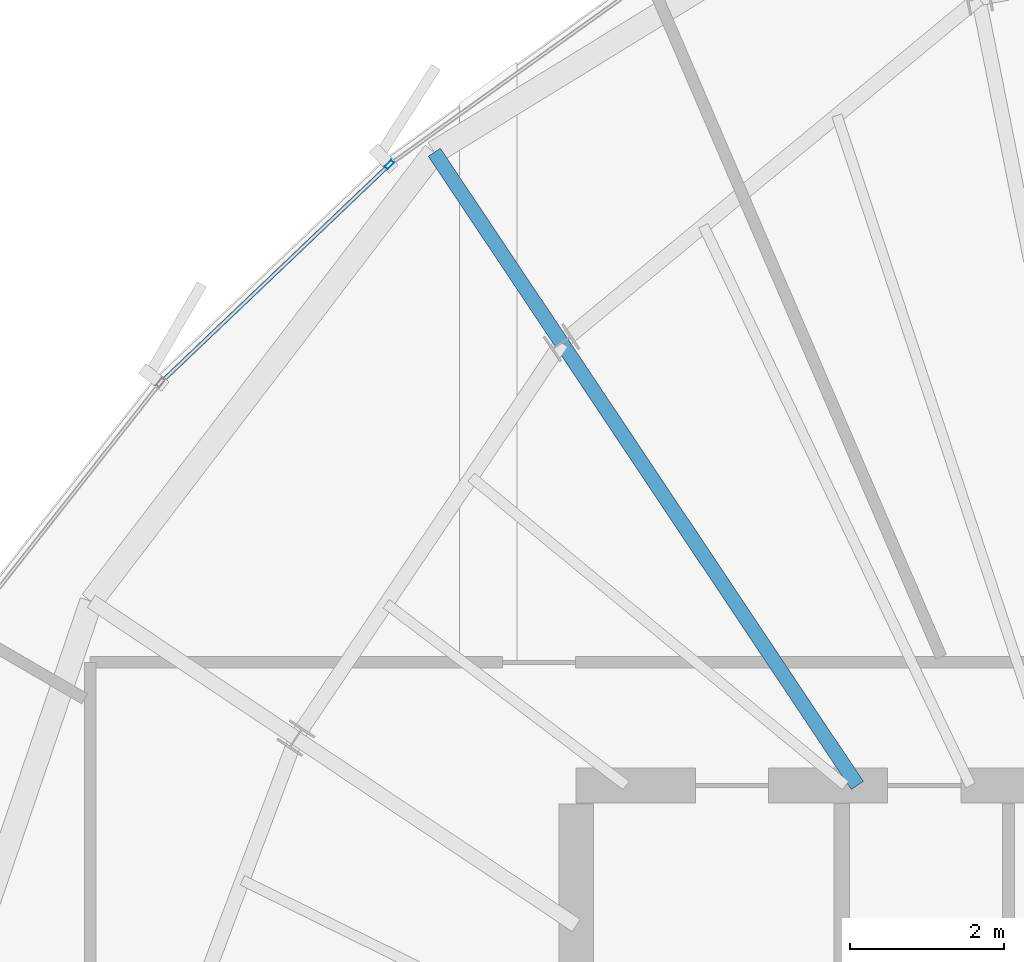
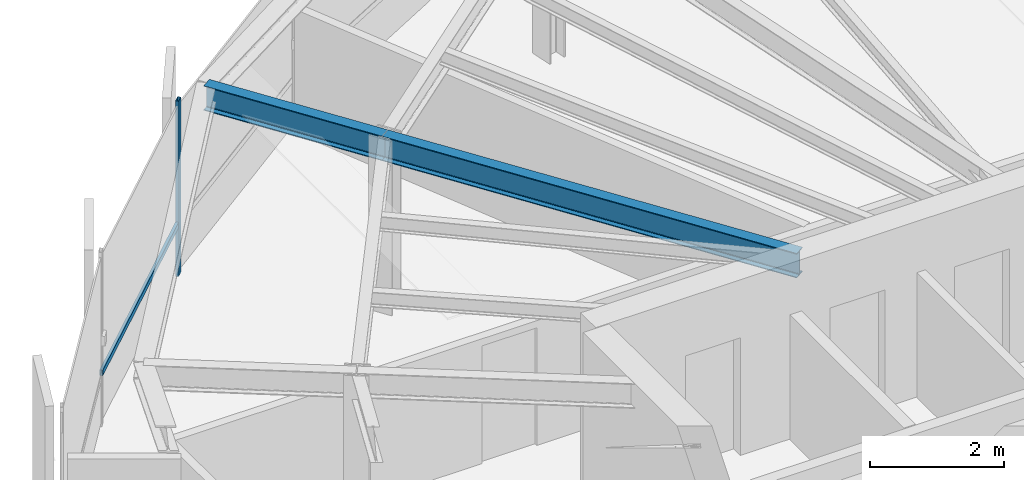
# One storey, part 20 of 36: 2 beams, 2 members, 1 element without a shape of its own.
"""IFC4 building model written with IfcOpenShell, lengths in metres."""

from ifc_helpers import new_model, si_unit, direction, frame, origin, origin_2d, place, context, subcontext, project, spatial, hollow_rectangle, i_section, extrude, source, transform, mapped, material, layer, layer_set, material_profile, profile_set, type_object, element, aggregate, save


model = new_model("IFC4")

# Units and contexts
model_context = context("Model", 3, precision=1e-05, world=origin(), true_north=direction((0.0, 1.0)))
body_context = subcontext(model_context, "Body", "Model", "MODEL_VIEW")
ifc_project = project(units=[si_unit("LENGTHUNIT", "METRE"), si_unit("AREAUNIT", "SQUARE_METRE"), si_unit("VOLUMEUNIT", "CUBIC_METRE"), si_unit("PLANEANGLEUNIT", "RADIAN"), si_unit("MASSUNIT", "GRAM", prefix="KILO"), si_unit("THERMODYNAMICTEMPERATUREUNIT", "KELVIN")], contexts=[model_context])

# Site, building, storey
site_placement = place(None, origin())
site = spatial("IfcSite", under=ifc_project, at=site_placement, CompositionType="ELEMENT")
building_placement = place(site_placement, origin())
building = spatial("IfcBuilding", under=site, at=building_placement, Name="Kethvar Cultural Tower", CompositionType="ELEMENT")
storey_placement = place(building_placement, frame((0.0, 0.0, 228.39990234375)))
storey = spatial("IfcBuildingStorey", under=building, at=storey_placement, Name="L59", CompositionType="ELEMENT", Elevation=228.39990234375)

# Beams
ifc_material_1 = material(Name="Steel S355J2", Category="steel")
ifc_material_profile_1 = material_profile(ifc_material_1, i_section(OverallWidth=0.18994140625, OverallDepth=0.449951171875, WebThickness=0.009521484375, FlangeThickness=0.0146484375, FilletRadius=0.02099609375, at=origin_2d()), Name="Steel S355J2 — IPE450")
ifc_profile_set_1 = profile_set([ifc_material_profile_1], Name="Steel S355J2 — IPE450")
beam_type = type_object("IfcBeamType", Name="BM-IPE450", PredefinedType="BEAM", material=ifc_profile_set_1)
shared_shape_1 = source(origin(), body_context, "Body", "SweptSolid", [
    extrude(i_section(OverallWidth=0.18994140625, OverallDepth=0.449951171875, WebThickness=0.009521484375, FlangeThickness=0.0146484375, FilletRadius=0.02099609375, at=origin_2d()), origin(), (0.0, 0.0, 1.0), 6.921630859375),
])
beam_1_placement = place(storey_placement, frame((41.655029296875, 35.5, 2.983154296875), z_axis=(-0.555570841874, 0.831469205479, 0.0), x_axis=(-0.831469205479, -0.555570841874, 0.0)))
element("IfcBeam", 1, at=beam_1_placement, inside=storey, type_object=beam_type, Name="L59 Primary Radial Beam RB-06", PredefinedType="BEAM", context=body_context, shape_type="MappedRepresentation", body=[
    mapped(shared_shape_1, transform((0.0, 0.0, 0.0), scale=1.0)),
])
shared_shape_2 = source(origin(), body_context, "Body", "SweptSolid", [
    extrude(i_section(OverallWidth=0.18994140625, OverallDepth=0.449951171875, WebThickness=0.009521484375, FlangeThickness=0.0146484375, FilletRadius=0.02099609375, at=origin_2d()), origin(), (0.0, 0.0, 1.0), 2.978271484375),
])
beam_2_placement = place(storey_placement, frame((37.8095703125, 41.255126953125, 2.983154296875), z_axis=(-0.555607866166, 0.831444465406, 0.0), x_axis=(-0.831444465406, -0.555607866166, 0.0)))
element("IfcBeam", 2, at=beam_2_placement, inside=storey, type_object=beam_type, Name="L59 Perimeter Cantilever Beam RC-06", PredefinedType="BEAM", context=body_context, shape_type="MappedRepresentation", body=[
    mapped(shared_shape_2, transform((0.0, 0.0, 0.0), scale=1.0)),
])

# Curtain wall, members
ifc_material_2 = material(Name="Aluminium 6063-T6", Category="aluminium")
ifc_layer = layer(ifc_material_2, 0.179931640625, Name="Aluminium 6063-T6", Category="aluminium")
ifc_layer_set = layer_set([ifc_layer], Name="Aluminium 6063-T6 (180 mm)")
curtain_wall_type = type_object("IfcCurtainWallType", Name="CW-SYS-05-Z56", PredefinedType="NOTDEFINED", material=ifc_layer_set)
curtain_wall_placement = place(storey_placement, origin())
curtain_wall = element("IfcCurtainWall", 3, at=curtain_wall_placement, inside=storey, type_object=curtain_wall_type, Name="L59 Curtain Wall Run 02", PredefinedType="NOTDEFINED")
ifc_material_profile_2 = material_profile(ifc_material_2, hollow_rectangle(XDim=0.054931640625, YDim=0.1201171875, WallThickness=0.00390625, at=origin_2d()), Name="Aluminium 6063-T6 — RHS120x55x4")
ifc_profile_set_2 = profile_set([ifc_material_profile_2], Name="Aluminium 6063-T6 — RHS120x55x4")
member_type_1 = type_object("IfcMemberType", Name="CW-SYS-05-Z56-MUL", PredefinedType="MULLION", material=ifc_profile_set_2)
shared_shape_3 = source(origin(), body_context, "Body", "SweptSolid", [
    extrude(hollow_rectangle(XDim=0.054931640625, YDim=0.1201171875, WallThickness=0.00390625, at=origin_2d()), origin(), (0.0, 0.0, 1.0), 3.210205078125),
])
member_1_placement = place(storey_placement, frame((35.572265625, 43.57177734375, 0.0), z_axis=(0.0, 0.0, 1.0), x_axis=(0.689897554925, -0.723907013164, 0.0)))
member_1 = element("IfcMember", 4, at=member_1_placement, type_object=member_type_1, Name="CW-L59-R02 Mullion 3", PredefinedType="MULLION", context=body_context, shape_type="MappedRepresentation", body=[
    mapped(shared_shape_3, transform((0.0, 0.0, 0.0), scale=1.0)),
])
ifc_material_profile_3 = material_profile(ifc_material_2, hollow_rectangle(XDim=0.050048828125, YDim=0.10009765625, WallThickness=0.00390625, at=origin_2d()), Name="Aluminium 6063-T6 — RHS100x50x4")
ifc_profile_set_3 = profile_set([ifc_material_profile_3], Name="Aluminium 6063-T6 — RHS100x50x4")
member_type_2 = type_object("IfcMemberType", Name="CW-SYS-05-Z56-TRN", PredefinedType="USERDEFINED", material=ifc_profile_set_3)
shared_shape_4 = source(origin(), body_context, "Body", "SweptSolid", [
    extrude(hollow_rectangle(XDim=0.050048828125, YDim=0.10009765625, WallThickness=0.00390625, at=origin_2d()), origin(), (0.0, 0.0, 1.0), 4.047119140625),
])
member_2_placement = place(storey_placement, frame((35.54345703125, 43.54443359375, 0.9501953125), z_axis=(-0.723883963084, -0.689921740482, 0.0), x_axis=(0.689921740482, -0.723883963084, 0.0)))
member_2 = element("IfcMember", 5, at=member_2_placement, type_object=member_type_2, Name="CW-L59-R02 Transom 3", ObjectType="TRANSOM", PredefinedType="USERDEFINED", context=body_context, shape_type="MappedRepresentation", body=[
    mapped(shared_shape_4, transform((0.0, 0.0, 0.0), scale=1.0)),
])
aggregate(curtain_wall, [member_1, member_2])

save(model, "model.ifc")
